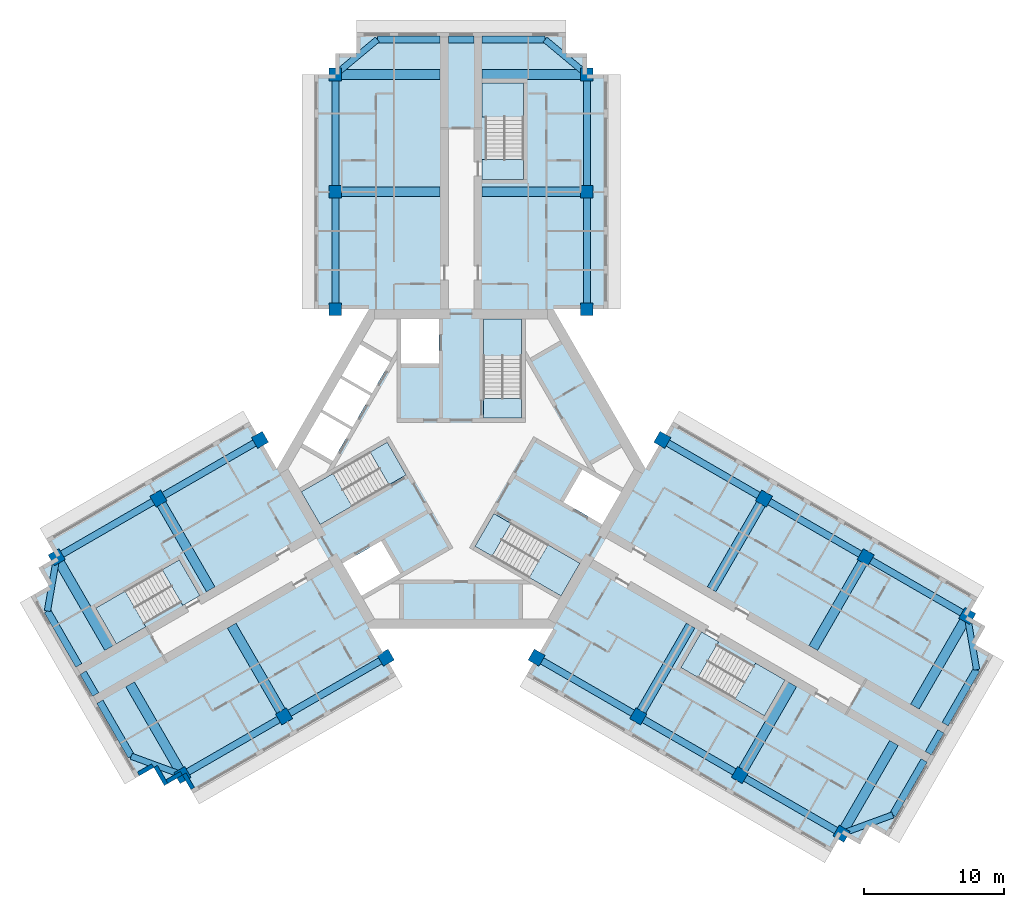
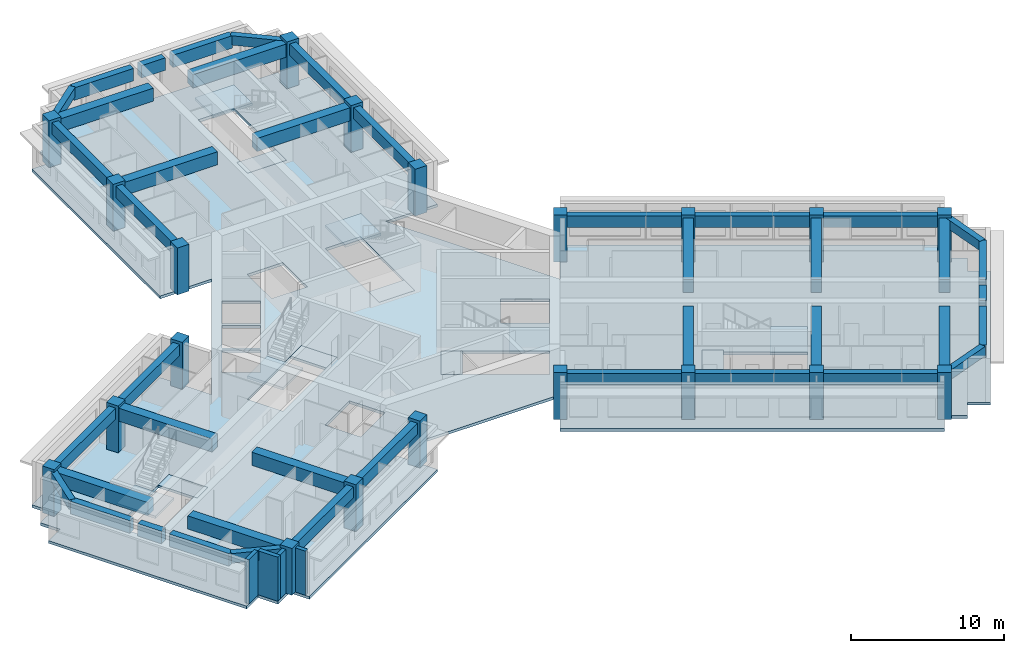
# One storey, part 1 of 10: 43 beams, 20 columns, 13 slabs, 4 walls, 6 elements without a shape of their own.
"""IFC4 building model written with IfcOpenShell, lengths in metres."""

from ifc_helpers import new_model, si_unit, direction, frame, frame_2d, origin, origin_2d, place, context, subcontext, project, spatial, polyline, rectangle, outline, extrude, material, layer, layer_set, material_profile, profile_set, type_object, element, aggregate, save


model = new_model("IFC4")

# Units and contexts
model_context = context("Model", 3, precision=1e-05, world=origin(), true_north=direction((0.0, 1.0)))
body_context = subcontext(model_context, "Body", "Model", "MODEL_VIEW")
ifc_project = project(units=[si_unit("LENGTHUNIT", "METRE"), si_unit("AREAUNIT", "SQUARE_METRE"), si_unit("VOLUMEUNIT", "CUBIC_METRE"), si_unit("PLANEANGLEUNIT", "RADIAN"), si_unit("MASSUNIT", "GRAM", prefix="KILO")], contexts=[model_context])

# Site, building, storey
site_placement = place(None, origin())
site = spatial("IfcSite", under=ifc_project, at=site_placement, CompositionType="ELEMENT")
building_placement = place(site_placement, origin())
building = spatial("IfcBuilding", under=site, at=building_placement, Name="Impinga Residences", CompositionType="ELEMENT")
storey_placement = place(building_placement, frame((0.0, 0.0, 241.0)))
storey = spatial("IfcBuildingStorey", under=building, at=storey_placement, Name="L60", CompositionType="ELEMENT", Elevation=241.0)

# Columns
ifc_material_1 = material(Name="Concrete C60/75", Category="concrete")
ifc_material_profile_1 = material_profile(ifc_material_1, rectangle(XDim=0.89990234375, YDim=0.89990234375, at=origin_2d()), Name="RC 900x900")
ifc_profile_set_1 = profile_set([ifc_material_profile_1], Name="Concrete C60/75")
column_type = type_object("IfcColumnType", Name="C4 900x900 column", PredefinedType="COLUMN", material=ifc_profile_set_1)
for number, where, z_axis, x_axis, name in (
    (1, (-9.0, 11.431640625, 0.0), (0.0, 0.0, 1.0), (1.0, 0.0, 0.0), "Column C4 N1/NA L60"),
    (2, (9.0, 11.431640625, 0.0), (0.0, 0.0, 1.0), (1.0, 0.0, 0.0), "Column C4 N1/NF L60"),
    (3, (-9.0, 19.83154296875, 0.0), (0.0, 0.0, 1.0), (1.0, 0.0, 0.0), "Column C4 N2/NA L60"),
    (4, (9.0, 19.83154296875, 0.0), (0.0, 0.0, 1.0), (1.0, 0.0, 0.0), "Column C4 N2/NF L60"),
    (5, (-9.0, 28.2314453125, 0.0), (0.0, 0.0, 1.0), (1.0, 0.0, 0.0), "Column C4 N3/NA L60"),
    (6, (9.0, 28.2314453125, 0.0), (0.0, 0.0, 1.0), (1.0, 0.0, 0.0), "Column C4 N3/NF L60"),
    (7, (-5.39990234375, -13.510009765625, 0.0), (0.0, 0.0, 1.0), (-0.5, 0.866025403784, 0.0), "Column C4 W1/WA L60"),
    (8, (-14.39990234375, 2.078369140625, 0.0), (0.0, 0.0, 1.0), (-0.5, 0.866025403784, 0.0), "Column C4 W1/WF L60"),
    (9, (-12.674560546875, -17.7099609375, 0.0), (0.0, 0.0, 1.0), (-0.5, 0.866025403784, 0.0), "Column C4 W2/WA L60"),
    (10, (-21.674560546875, -2.12158203125, 0.0), (0.0, 0.0, 1.0), (-0.5, 0.866025403784, 0.0), "Column C4 W2/WF L60"),
    (11, (-19.94921875, -21.909912109375, 0.0), (0.0, 0.0, 1.0), (-0.5, 0.866025403784, 0.0), "Column C4 W3/WA L60"),
    (12, (-28.94921875, -6.321533203125, 0.0), (0.0, 0.0, 1.0), (-0.5, 0.866025403784, 0.0), "Column C4 W3/WF L60"),
    (13, (14.39990234375, 2.078369140625, 0.0), (0.0, 0.0, 1.0), (-0.5, -0.866025403784, 0.0), "Column C4 E1/EA L60"),
    (14, (5.39990234375, -13.510009765625, 0.0), (0.0, 0.0, 1.0), (-0.5, -0.866025403784, 0.0), "Column C4 E1/EF L60"),
    (15, (21.674560546875, -2.12158203125, 0.0), (0.0, 0.0, 1.0), (-0.5, -0.866025403784, 0.0), "Column C4 E2/EA L60"),
    (16, (12.674560546875, -17.7099609375, 0.0), (0.0, 0.0, 1.0), (-0.5, -0.866025403784, 0.0), "Column C4 E2/EF L60"),
    (17, (28.94921875, -6.321533203125, 0.0), (0.0, 0.0, 1.0), (-0.5, -0.866025403784, 0.0), "Column C4 E3/EA L60"),
    (18, (19.94921875, -21.909912109375, 0.0), (0.0, 0.0, 1.0), (-0.5, -0.866025403784, 0.0), "Column C4 E3/EF L60"),
    (19, (36.223876953125, -10.521484375, 0.0), (0.0, 0.0, 1.0), (-0.5, -0.866025403784, 0.0), "Column C4 E4/EA L60"),
    (20, (27.223876953125, -26.110107421875, 0.0), (0.0, 0.0, 1.0), (-0.5, -0.866025403784, 0.0), "Column C4 E4/EF L60"),
):
    element("IfcColumn", number, at=place(storey_placement, frame(where, z_axis=z_axis, x_axis=x_axis)), inside=storey, type_object=column_type, Name=name, PredefinedType="COLUMN", context=body_context, shape_type="SweptSolid", body=[
        extrude(rectangle(XDim=0.89990234375, YDim=0.89990234375, at=origin_2d()), origin(), (0.0, 0.0, 1.0), 3.75),
    ])

# Beams
ifc_material_profile_2 = material_profile(ifc_material_1, rectangle(XDim=0.449951171875, YDim=0.75, at=origin_2d()), Name="RC 450x750")
ifc_profile_set_2 = profile_set([ifc_material_profile_2], Name="Concrete C60/75")
beam_type_1 = type_object("IfcBeamType", Name="CB1 450x750 wing end cantilever beam", PredefinedType="BEAM", material=ifc_profile_set_2)
for number, where, z_axis, x_axis, name in (
    (21, (-9.0, 28.2314453125, 3.155029296875), (0.768221279597, 0.640184399664, 0.0), (-0.640184399664, 0.768221279597, 0.0), "Beam CB1 NB N3-NX level L61"),
    (22, (9.0, 28.2314453125, 3.155029296875), (-0.768221279597, 0.640184399664, 0.0), (-0.640184399664, -0.768221279597, 0.0), "Beam CB1 NE N3-NX level L61"),
    (23, (-19.94921875, -21.909912109375, 3.155029296875), (-0.93854043338, 0.345169313396, 0.0), (-0.345169313396, -0.93854043338, 0.0), "Beam CB1 WB W3-WX level L61"),
):
    element("IfcBeam", number, at=place(storey_placement, frame(where, z_axis=z_axis, x_axis=x_axis)), inside=storey, type_object=beam_type_1, Name=name, PredefinedType="BEAM", context=body_context, shape_type="SweptSolid", body=[
        extrude(rectangle(XDim=0.449951171875, YDim=0.75, at=origin_2d()), origin(), (0.0, 0.0, 1.0), 3.905029296875),
    ])
for number, where, z_axis, x_axis, name in (
    (24, (-28.94921875, -6.321533203125, 3.155029296875), (-0.170296298948, -0.985392901621, 0.0), (0.985392901621, -0.170296298948, 0.0), "Beam CB1 WE W3-WX level L61"),
    (25, (36.223876953125, -10.521484375, 3.155029296875), (0.170296298948, -0.985392901621, 0.0), (0.985392901621, 0.170296298948, 0.0), "Beam CB1 EB E4-EX level L61"),
):
    element("IfcBeam", number, at=place(storey_placement, frame(where, z_axis=z_axis, x_axis=x_axis)), inside=storey, type_object=beam_type_1, Name=name, PredefinedType="BEAM", context=body_context, shape_type="SweptSolid", body=[
        extrude(rectangle(XDim=0.449951171875, YDim=0.75, at=origin_2d()), origin(), (0.0, 0.0, 1.0), 3.9052734375),
    ])
beam_1_placement = place(storey_placement, frame((27.223876953125, -26.110107421875, 3.155029296875), z_axis=(0.938520178725, 0.345224382289, 0.0), x_axis=(-0.345224382289, 0.938520178725, 0.0)))
element("IfcBeam", 26, at=beam_1_placement, inside=storey, type_object=beam_type_1, Name="Beam CB1 EE E4-EX level L61", PredefinedType="BEAM", context=body_context, shape_type="SweptSolid", body=[
    extrude(rectangle(XDim=0.449951171875, YDim=0.75, at=origin_2d()), origin(), (0.0, 0.0, 1.0), 3.905029296875),
])
ifc_material_profile_3 = material_profile(ifc_material_1, rectangle(XDim=0.699951171875, YDim=1.050048828125, at=origin_2d()), Name="RC 700x1050")
ifc_profile_set_3 = profile_set([ifc_material_profile_3], Name="Concrete C60/75")
beam_type_2 = type_object("IfcBeamType", Name="CG1 700x1050 cross girder on a wing bay line", PredefinedType="BEAM", material=ifc_profile_set_3)
for number, where, z_axis, x_axis, name in (
    (27, (-1.5, 19.83154296875, 3.0048828125), (-1.0, 0.0, 0.0), (0.0, -1.0, 0.0), "Beam CG1 N2 NC/NA level L61"),
    (28, (-1.5, 28.2314453125, 3.0048828125), (-1.0, 0.0, 0.0), (0.0, -1.0, 0.0), "Beam CG1 N3 NC/NA level L61"),
    (29, (1.5, 19.83154296875, 3.0048828125), (1.0, 0.0, 0.0), (0.0, 1.0, 0.0), "Beam CG1 N2 NC/NF level L61"),
    (30, (1.5, 28.2314453125, 3.0048828125), (1.0, 0.0, 0.0), (0.0, 1.0, 0.0), "Beam CG1 N3 NC/NF level L61"),
    (31, (-16.424560546875, -11.21484375, 3.0048828125), (0.500004234368, -0.866022959057, 0.0), (0.866022959057, 0.500004234368, 0.0), "Beam CG1 W2 WC/WA level L61"),
    (32, (-23.69921875, -15.414794921875, 3.0048828125), (0.500004234368, -0.866022959057, 0.0), (0.866022959057, 0.500004234368, 0.0), "Beam CG1 W3 WC/WA level L61"),
    (33, (-17.924560546875, -8.61669921875, 3.0048828125), (-0.500004234368, 0.866022959057, 0.0), (-0.866022959057, -0.500004234368, 0.0), "Beam CG1 W2 WC/WF level L61"),
    (34, (-25.19921875, -12.816650390625, 3.0048828125), (-0.500004234368, 0.866022959057, 0.0), (-0.866022959057, -0.500004234368, 0.0), "Beam CG1 W3 WC/WF level L61"),
    (35, (17.924560546875, -8.61669921875, 3.0048828125), (0.500004234368, 0.866022959057, 0.0), (-0.866022959057, 0.500004234368, 0.0), "Beam CG1 E2 EC/EA level L61"),
    (36, (25.19921875, -12.816650390625, 3.0048828125), (0.500004234368, 0.866022959057, 0.0), (-0.866022959057, 0.500004234368, 0.0), "Beam CG1 E3 EC/EA level L61"),
):
    element("IfcBeam", number, at=place(storey_placement, frame(where, z_axis=z_axis, x_axis=x_axis)), inside=storey, type_object=beam_type_2, Name=name, PredefinedType="BEAM", context=body_context, shape_type="SweptSolid", body=[
        extrude(rectangle(XDim=0.699951171875, YDim=1.050048828125, at=origin_2d()), origin(), (0.0, 0.0, 1.0), 7.5),
    ])
beam_2_placement = place(storey_placement, frame((32.473876953125, -17.016845703125, 3.0048828125), z_axis=(0.499990139034, 0.866031096941, 0.0), x_axis=(-0.866031096941, 0.499990139034, 0.0)))
element("IfcBeam", 37, at=beam_2_placement, inside=storey, type_object=beam_type_2, Name="Beam CG1 E4 EC/EA level L61", PredefinedType="BEAM", context=body_context, shape_type="SweptSolid", body=[
    extrude(rectangle(XDim=0.699951171875, YDim=1.050048828125, at=origin_2d()), origin(), (0.0, 0.0, 1.0), 7.500244140625),
])
for number, where, z_axis, x_axis, name in (
    (38, (16.424560546875, -11.21484375, 3.0048828125), (-0.500004234368, -0.866022959057, 0.0), (0.866022959057, -0.500004234368, 0.0), "Beam CG1 E2 EC/EF level L61"),
    (39, (23.69921875, -15.414794921875, 3.0048828125), (-0.500004234368, -0.866022959057, 0.0), (0.866022959057, -0.500004234368, 0.0), "Beam CG1 E3 EC/EF level L61"),
):
    element("IfcBeam", number, at=place(storey_placement, frame(where, z_axis=z_axis, x_axis=x_axis)), inside=storey, type_object=beam_type_2, Name=name, PredefinedType="BEAM", context=body_context, shape_type="SweptSolid", body=[
        extrude(rectangle(XDim=0.699951171875, YDim=1.050048828125, at=origin_2d()), origin(), (0.0, 0.0, 1.0), 7.5),
    ])
beam_3_placement = place(storey_placement, frame((30.973876953125, -19.61474609375, 3.0048828125), z_axis=(-0.499990139034, -0.866031096941, 0.0), x_axis=(0.866031096941, -0.499990139034, 0.0)))
element("IfcBeam", 40, at=beam_3_placement, inside=storey, type_object=beam_type_2, Name="Beam CG1 E4 EC/EF level L61", PredefinedType="BEAM", context=body_context, shape_type="SweptSolid", body=[
    extrude(rectangle(XDim=0.699951171875, YDim=1.050048828125, at=origin_2d()), origin(), (0.0, 0.0, 1.0), 7.500244140625),
])
ifc_material_profile_4 = material_profile(ifc_material_1, rectangle(XDim=0.5, YDim=1.0, at=origin_2d()), Name="RC 500x1000")
ifc_profile_set_4 = profile_set([ifc_material_profile_4], Name="Concrete C60/75")
beam_type_3 = type_object("IfcBeamType", Name="EB1 500x1000 wing end beam", PredefinedType="BEAM", material=ifc_profile_set_4)
beam_4_placement = place(storey_placement, frame((-6.0, 30.7314453125, 3.030029296875), z_axis=(1.0, 0.0, 0.0), x_axis=(0.0, 1.0, 0.0)))
element("IfcBeam", 41, at=beam_4_placement, inside=storey, type_object=beam_type_3, Name="Beam EB1 NX2 level L61", PredefinedType="BEAM", context=body_context, shape_type="SweptSolid", body=[
    extrude(rectangle(XDim=0.5, YDim=1.0, at=origin_2d()), origin(), (0.0, 0.0, 1.0), 4.5),
])
beam_5_placement = place(storey_placement, frame((-0.89990234375, 30.7314453125, 3.030029296875), z_axis=(1.0, 0.0, 0.0), x_axis=(0.0, 1.0, 0.0)))
element("IfcBeam", 42, at=beam_5_placement, inside=storey, type_object=beam_type_3, Name="Beam EB1 NX2 level L61", PredefinedType="BEAM", context=body_context, shape_type="SweptSolid", body=[
    extrude(rectangle(XDim=0.5, YDim=1.0, at=origin_2d()), origin(), (0.0, 0.0, 1.0), 1.7998046875),
])
for number, where, z_axis, x_axis, name in (
    (43, (1.5, 30.7314453125, 3.030029296875), (1.0, 0.0, 0.0), (0.0, 1.0, 0.0), "Beam EB1 NX2 level L61"),
    (44, (-23.6142578125, -20.56201171875, 3.030029296875), (-0.499990139034, 0.866031096941, 0.0), (-0.866031096941, -0.499990139034, 0.0), "Beam EB1 WX2 level L61"),
):
    element("IfcBeam", number, at=place(storey_placement, frame(where, z_axis=z_axis, x_axis=x_axis)), inside=storey, type_object=beam_type_3, Name=name, PredefinedType="BEAM", context=body_context, shape_type="SweptSolid", body=[
        extrude(rectangle(XDim=0.5, YDim=1.0, at=origin_2d()), origin(), (0.0, 0.0, 1.0), 4.5),
    ])
beam_6_placement = place(storey_placement, frame((-26.164306640625, -16.145263671875, 3.030029296875), z_axis=(-0.499961193289, 0.866047807691, 0.0), x_axis=(-0.866047807691, -0.499961193289, 0.0)))
element("IfcBeam", 45, at=beam_6_placement, inside=storey, type_object=beam_type_3, Name="Beam EB1 WX2 level L61", PredefinedType="BEAM", context=body_context, shape_type="SweptSolid", body=[
    extrude(rectangle(XDim=0.5, YDim=1.0, at=origin_2d()), origin(), (0.0, 0.0, 1.0), 1.800048828125),
])
beam_7_placement = place(storey_placement, frame((-27.3642578125, -14.066650390625, 3.030029296875), z_axis=(-0.500013631625, 0.866017533419, 0.0), x_axis=(-0.866017533419, -0.500013631625, 0.0)))
element("IfcBeam", 46, at=beam_7_placement, inside=storey, type_object=beam_type_3, Name="Beam EB1 WX2 level L61", PredefinedType="BEAM", context=body_context, shape_type="SweptSolid", body=[
    extrude(rectangle(XDim=0.5, YDim=1.0, at=origin_2d()), origin(), (0.0, 0.0, 1.0), 4.499755859375),
])
beam_8_placement = place(storey_placement, frame((36.888916015625, -14.36962890625, 3.030029296875), z_axis=(-0.499990139034, -0.866031096941, 0.0), x_axis=(0.866031096941, -0.499990139034, 0.0)))
element("IfcBeam", 47, at=beam_8_placement, inside=storey, type_object=beam_type_3, Name="Beam EB1 EX3 level L61", PredefinedType="BEAM", context=body_context, shape_type="SweptSolid", body=[
    extrude(rectangle(XDim=0.5, YDim=1.0, at=origin_2d()), origin(), (0.0, 0.0, 1.0), 4.5),
])
beam_9_placement = place(storey_placement, frame((34.3388671875, -18.786376953125, 3.030029296875), z_axis=(-0.499961193289, -0.866047807691, 0.0), x_axis=(0.866047807691, -0.499961193289, 0.0)))
element("IfcBeam", 48, at=beam_9_placement, inside=storey, type_object=beam_type_3, Name="Beam EB1 EX3 level L61", PredefinedType="BEAM", context=body_context, shape_type="SweptSolid", body=[
    extrude(rectangle(XDim=0.5, YDim=1.0, at=origin_2d()), origin(), (0.0, 0.0, 1.0), 1.800048828125),
])
beam_10_placement = place(storey_placement, frame((33.138916015625, -20.86474609375, 3.030029296875), z_axis=(-0.499990139034, -0.866031096941, 0.0), x_axis=(0.866031096941, -0.499990139034, 0.0)))
element("IfcBeam", 49, at=beam_10_placement, inside=storey, type_object=beam_type_3, Name="Beam EB1 EX3 level L61", PredefinedType="BEAM", context=body_context, shape_type="SweptSolid", body=[
    extrude(rectangle(XDim=0.5, YDim=1.0, at=origin_2d()), origin(), (0.0, 0.0, 1.0), 4.5),
])
ifc_material_profile_5 = material_profile(ifc_material_1, rectangle(XDim=0.5, YDim=0.89990234375, at=origin_2d()), Name="RC 500x900")
ifc_profile_set_5 = profile_set([ifc_material_profile_5], Name="Concrete C60/75")
beam_type_4 = type_object("IfcBeamType", Name="SB1 500x900 perimeter spandrel beam", PredefinedType="SPANDREL", material=ifc_profile_set_5)
for number, where, z_axis, x_axis, name in (
    (50, (-9.0, 11.431640625, 3.080078125), (0.0, 1.0, 0.0), (-1.0, 0.0, 0.0), "Beam SB1 NA N1-N2 level L61"),
    (51, (-9.0, 19.83154296875, 3.080078125), (0.0, 1.0, 0.0), (-1.0, 0.0, 0.0), "Beam SB1 NA N2-N3 level L61"),
    (52, (9.0, 11.431640625, 3.080078125), (0.0, 1.0, 0.0), (-1.0, 0.0, 0.0), "Beam SB1 NF N1-N2 level L61"),
    (53, (9.0, 19.83154296875, 3.080078125), (0.0, 1.0, 0.0), (-1.0, 0.0, 0.0), "Beam SB1 NF N2-N3 level L61"),
    (54, (-5.39990234375, -13.510009765625, 3.080078125), (-0.86602925447, -0.499993330357, 0.0), (0.499993330357, -0.86602925447, 0.0), "Beam SB1 WA W1-W2 level L61"),
    (55, (-12.674560546875, -17.7099609375, 3.080078125), (-0.86602925447, -0.499993330357, 0.0), (0.499993330357, -0.86602925447, 0.0), "Beam SB1 WA W2-W3 level L61"),
    (56, (-14.39990234375, 2.078369140625, 3.080078125), (-0.86602925447, -0.499993330357, 0.0), (0.499993330357, -0.86602925447, 0.0), "Beam SB1 WF W1-W2 level L61"),
    (57, (-21.674560546875, -2.12158203125, 3.080078125), (-0.86602925447, -0.499993330357, 0.0), (0.499993330357, -0.86602925447, 0.0), "Beam SB1 WF W2-W3 level L61"),
    (58, (14.39990234375, 2.078369140625, 3.080078125), (0.86602925447, -0.499993330357, 0.0), (0.499993330357, 0.86602925447, 0.0), "Beam SB1 EA E1-E2 level L61"),
    (59, (21.674560546875, -2.12158203125, 3.080078125), (0.86602925447, -0.499993330357, 0.0), (0.499993330357, 0.86602925447, 0.0), "Beam SB1 EA E2-E3 level L61"),
    (60, (28.94921875, -6.321533203125, 3.080078125), (0.86602925447, -0.499993330357, 0.0), (0.499993330357, 0.86602925447, 0.0), "Beam SB1 EA E3-E4 level L61"),
    (61, (5.39990234375, -13.510009765625, 3.080078125), (0.86602925447, -0.499993330357, 0.0), (0.499993330357, 0.86602925447, 0.0), "Beam SB1 EF E1-E2 level L61"),
    (62, (12.674560546875, -17.7099609375, 3.080078125), (0.86602925447, -0.499993330357, 0.0), (0.499993330357, 0.86602925447, 0.0), "Beam SB1 EF E2-E3 level L61"),
):
    element("IfcBeam", number, at=place(storey_placement, frame(where, z_axis=z_axis, x_axis=x_axis)), inside=storey, type_object=beam_type_4, Name=name, PredefinedType="SPANDREL", context=body_context, shape_type="SweptSolid", body=[
        extrude(rectangle(XDim=0.5, YDim=0.89990234375, at=origin_2d()), origin(), (0.0, 0.0, 1.0), 8.39990234375),
    ])
beam_11_placement = place(storey_placement, frame((19.94921875, -21.909912109375, 3.080078125), z_axis=(0.866016669275, -0.500015128309, 0.0), x_axis=(0.500015128309, 0.866016669275, 0.0)))
element("IfcBeam", 63, at=beam_11_placement, inside=storey, type_object=beam_type_4, Name="Beam SB1 EF E3-E4 level L61", PredefinedType="SPANDREL", context=body_context, shape_type="SweptSolid", body=[
    extrude(rectangle(XDim=0.5, YDim=0.89990234375, at=origin_2d()), origin(), (0.0, 0.0, 1.0), 8.400146484375),
])

# Slab
ifc_layer_1 = layer(ifc_material_1, 0.219970703125)
ifc_layer_set_1 = layer_set([ifc_layer_1], Name="Concrete C60/75")
slab_type_1 = type_object("IfcSlabType", Name="FS1 tower floor slab 220", PredefinedType="FLOOR", material=ifc_layer_set_1)
slab_1_placement = place(storey_placement, frame((0.0, 0.0, -0.219970703125)))
element("IfcSlab", 64, at=slab_1_placement, inside=storey, type_object=slab_type_1, Name="Floor slab FS1 L60", PredefinedType="FLOOR", context=body_context, shape_type="SweptSolid", body=[
    extrude(outline(polyline([(36.223876953125, -10.521484375), (37.52294921875, -11.271484375), (36.77294921875, -12.570556640625), (38.072021484375, -13.320556640625), (30.572021484375, -26.31103515625), (29.27294921875, -25.56103515625), (28.52294921875, -26.860107421875), (27.223876953125, -26.110107421875), (26.473876953125, -27.408935546875), (4.64990234375, -14.80908203125), (9.900146484375, -5.7158203125), (6.60009765625, -11.431640625), (-6.60009765625, -11.431640625), (-9.900146484375, -5.7158203125), (-4.64990234375, -14.80908203125), (-19.19921875, -23.208984375), (-19.94921875, -21.909912109375), (-21.248291015625, -22.659912109375), (-21.998291015625, -21.36083984375), (-23.29736328125, -22.11083984375), (-30.79736328125, -9.12060546875), (-29.498291015625, -8.37060546875), (-30.248291015625, -7.071533203125), (-28.94921875, -6.321533203125), (-29.69921875, -5.0224609375), (-15.14990234375, 3.37744140625), (-13.199951171875, 0.0), (-6.60009765625, 11.431640625), (-10.5, 11.431640625), (-10.5, 28.2314453125), (-9.0, 28.2314453125), (-9.0, 29.7314453125), (-7.5, 29.7314453125), (-7.5, 31.2314453125), (7.5, 31.2314453125), (7.5, 29.7314453125), (9.0, 29.7314453125), (9.0, 28.2314453125), (10.5, 28.2314453125), (10.5, 11.431640625), (6.60009765625, 11.431640625), (13.199951171875, 0.0), (15.14990234375, 3.37744140625), (36.973876953125, -9.222412109375), (36.223876953125, -10.521484375)]), holes=[polyline([(-18.7041015625, -9.066650390625), (-18.8291015625, -8.850341796875), (-18.8291015625, -8.850341796875), (-20.178955078125, -6.511962890625), (-21.391357421875, -7.2119140625), (-21.391357421875, -7.2119140625), (-26.154541015625, -9.9619140625), (-24.8046875, -12.30029296875), (-20.04150390625, -9.55029296875), (-19.91650390625, -9.766845703125), (-18.7041015625, -9.066650390625)]), polyline([(-5.72119140625, -5.150634765625), (-8.493896484375, -6.75146484375), (-7.143798828125, -9.089599609375), (-4.37109375, -7.489013671875), (-5.72119140625, -5.150634765625)]), polyline([(-5.293701171875, 1.908935546875), (-11.44384765625, -1.641845703125), (-10.09375, -3.980224609375), (-3.943603515625, -0.429443359375), (-5.293701171875, 1.908935546875)]), polyline([(-7.878662109375, 2.816650390625), (-10.043701171875, 4.066650390625), (-11.34375, 1.81494140625), (-9.1787109375, 0.56494140625), (-7.878662109375, 2.816650390625)]), polyline([(-6.478759765625, 5.24169921875), (-8.643798828125, 6.49169921875), (-9.94384765625, 4.239990234375), (-7.77880859375, 2.989990234375), (-6.478759765625, 5.24169921875)]), polyline([(-6.378662109375, 5.414794921875), (-5.07861328125, 7.66650390625), (-7.243896484375, 8.91650390625), (-8.543701171875, 6.664794921875), (-6.378662109375, 5.414794921875)]), polyline([(-4.300048828125, 7.530029296875), (-1.60009765625, 7.530029296875), (-1.60009765625, 10.7314453125), (-4.300048828125, 10.7314453125), (-4.300048828125, 7.530029296875)]), polyline([(15.72900390625, -14.219482421875), (21.70458984375, -17.669677734375), (23.0546875, -15.331298828125), (18.29150390625, -12.581298828125), (18.41650390625, -12.36474609375), (17.2041015625, -11.664794921875), (15.72900390625, -14.219482421875)]), polyline([(0.99365234375, -5.538818359375), (7.143798828125, -9.089599609375), (8.493896484375, -6.75146484375), (2.34375, -3.20068359375), (0.99365234375, -5.538818359375)]), polyline([(7.3212890625, -2.37939453125), (10.09375, -3.980224609375), (11.44384765625, -1.641845703125), (8.671142578125, -0.041015625), (7.3212890625, -2.37939453125)]), polyline([(4.300048828125, 3.6298828125), (4.300048828125, 10.7314453125), (1.60009765625, 10.7314453125), (1.60009765625, 3.6298828125), (4.300048828125, 3.6298828125)]), polyline([(1.75, 22.131591796875), (1.5, 22.131591796875), (1.5, 20.7314453125), (1.75, 20.7314453125), (4.449951171875, 20.7314453125), (4.449951171875, 22.131591796875), (4.449951171875, 27.631591796875), (1.75, 27.631591796875), (1.75, 22.131591796875)])]), origin(), (0.0, 0.0, 1.0), 0.219970703125),
])

# Stair, slabs
ifc_material_2 = material(Name="Concrete C40/50", Category="concrete")
stair_type_1 = type_object("IfcStairType", Name="STR core stair 3750 storey, 24 risers", PredefinedType="HALF_TURN_STAIR", material=ifc_material_2)
stair_1_placement = place(storey_placement, origin())
stair_1 = element("IfcStair", 65, at=stair_1_placement, inside=storey, type_object=stair_type_1, Name="Stair ST1 L60", PredefinedType="HALF_TURN_STAIR")
ifc_layer_2 = layer(ifc_material_2, 0.199951171875)
ifc_layer_set_2 = layer_set([ifc_layer_2], Name="Concrete C40/50")
slab_type_2 = type_object("IfcSlabType", Name="LS1 stair landing 200", PredefinedType="LANDING", material=ifc_layer_set_2)
slab_2_placement = place(storey_placement, frame((0.0, 0.0, -0.199951171875)))
slab_2 = element("IfcSlab", 66, at=slab_2_placement, type_object=slab_type_2, Name="ST1 landing 1", PredefinedType="LANDING", context=body_context, shape_type="SweptSolid", body=[
    extrude(outline(polyline([(1.60009765625, 3.6298828125), (4.300048828125, 3.6298828125), (4.300048828125, 5.0400390625), (1.60009765625, 5.0400390625), (1.60009765625, 3.6298828125)])), origin(), (0.0, 0.0, 1.0), 0.199951171875),
])
slab_3_placement = place(storey_placement, frame((0.0, 0.0, 1.675048828125)))
slab_3 = element("IfcSlab", 67, at=slab_3_placement, type_object=slab_type_2, Name="ST1 landing 2", PredefinedType="LANDING", context=body_context, shape_type="SweptSolid", body=[
    extrude(outline(polyline([(1.60009765625, 8.10009765625), (4.300048828125, 8.10009765625), (4.300048828125, 10.7314453125), (1.60009765625, 10.7314453125), (1.60009765625, 8.10009765625)])), origin(), (0.0, 0.0, 1.0), 0.199951171875),
])
aggregate(stair_1, [slab_2, slab_3])

stair_2_placement = place(storey_placement, origin())
stair_2 = element("IfcStair", 68, at=stair_2_placement, inside=storey, type_object=stair_type_1, Name="Stair ST2 L60", PredefinedType="HALF_TURN_STAIR")
slab_4_placement = place(storey_placement, frame((0.0, 0.0, -0.199951171875)))
slab_4 = element("IfcSlab", 69, at=slab_4_placement, type_object=slab_type_2, Name="ST2 landing 1", PredefinedType="LANDING", context=body_context, shape_type="SweptSolid", body=[
    extrude(outline(polyline([(-3.943603515625, -0.429443359375), (-5.293701171875, 1.908935546875), (-6.5146484375, 1.203857421875), (-5.164794921875, -1.13427734375), (-3.943603515625, -0.429443359375)])), origin(), (0.0, 0.0, 1.0), 0.199951171875),
])
slab_5_placement = place(storey_placement, frame((0.0, 0.0, 1.675048828125)))
slab_5 = element("IfcSlab", 70, at=slab_5_placement, type_object=slab_type_2, Name="ST2 landing 2", PredefinedType="LANDING", context=body_context, shape_type="SweptSolid", body=[
    extrude(outline(polyline([(-7.814697265625, -2.664306640625), (-9.164794921875, -0.326171875), (-11.44384765625, -1.641845703125), (-10.09375, -3.980224609375), (-7.814697265625, -2.664306640625)])), origin(), (0.0, 0.0, 1.0), 0.199951171875),
])
aggregate(stair_2, [slab_4, slab_5])

stair_3_placement = place(storey_placement, origin())
stair_3 = element("IfcStair", 71, at=stair_3_placement, inside=storey, type_object=stair_type_1, Name="Stair ST3 L60", PredefinedType="HALF_TURN_STAIR")
slab_6_placement = place(storey_placement, frame((0.0, 0.0, -0.199951171875)))
slab_6 = element("IfcSlab", 72, at=slab_6_placement, type_object=slab_type_2, Name="ST3 landing 1", PredefinedType="LANDING", context=body_context, shape_type="SweptSolid", body=[
    extrude(outline(polyline([(2.34375, -3.20068359375), (0.99365234375, -5.538818359375), (2.21484375, -6.243896484375), (3.564697265625, -3.90576171875), (2.34375, -3.20068359375)])), origin(), (0.0, 0.0, 1.0), 0.199951171875),
])
slab_7_placement = place(storey_placement, frame((0.0, 0.0, 1.675048828125)))
slab_7 = element("IfcSlab", 73, at=slab_7_placement, type_object=slab_type_2, Name="ST3 landing 2", PredefinedType="LANDING", context=body_context, shape_type="SweptSolid", body=[
    extrude(outline(polyline([(6.21484375, -5.435546875), (4.86474609375, -7.77392578125), (7.143798828125, -9.089599609375), (8.493896484375, -6.75146484375), (6.21484375, -5.435546875)])), origin(), (0.0, 0.0, 1.0), 0.199951171875),
])
aggregate(stair_3, [slab_6, slab_7])

stair_type_2 = type_object("IfcStairType", Name="STR wing stair 3750 storey, 24 risers", PredefinedType="HALF_TURN_STAIR", material=ifc_material_2)
stair_4_placement = place(storey_placement, origin())
stair_4 = element("IfcStair", 74, at=stair_4_placement, inside=storey, type_object=stair_type_2, Name="Stair WS1 L60", PredefinedType="HALF_TURN_STAIR")
slab_8_placement = place(storey_placement, frame((0.0, 0.0, -0.199951171875)))
slab_8 = element("IfcSlab", 75, at=slab_8_placement, type_object=slab_type_2, Name="WS1 landing 1", PredefinedType="LANDING", context=body_context, shape_type="SweptSolid", body=[
    extrude(outline(polyline([(1.5, 20.7314453125), (4.449951171875, 20.7314453125), (4.449951171875, 22.1416015625), (1.5, 22.1416015625), (1.5, 20.7314453125)])), origin(), (0.0, 0.0, 1.0), 0.199951171875),
])
slab_9_placement = place(storey_placement, frame((0.0, 0.0, 1.675048828125)))
slab_9 = element("IfcSlab", 76, at=slab_9_placement, type_object=slab_type_2, Name="WS1 landing 2", PredefinedType="LANDING", context=body_context, shape_type="SweptSolid", body=[
    extrude(outline(polyline([(1.5, 25.201416015625), (4.449951171875, 25.201416015625), (4.449951171875, 27.631591796875), (1.5, 27.631591796875), (1.5, 25.201416015625)])), origin(), (0.0, 0.0, 1.0), 0.199951171875),
])
aggregate(stair_4, [slab_8, slab_9])

stair_5_placement = place(storey_placement, origin())
stair_5 = element("IfcStair", 77, at=stair_5_placement, inside=storey, type_object=stair_type_2, Name="Stair WS2 L60", PredefinedType="HALF_TURN_STAIR")
slab_10_placement = place(storey_placement, frame((0.0, 0.0, -0.199951171875)))
slab_10 = element("IfcSlab", 78, at=slab_10_placement, type_object=slab_type_2, Name="WS2 landing 1", PredefinedType="LANDING", context=body_context, shape_type="SweptSolid", body=[
    extrude(outline(polyline([(-18.7041015625, -9.066650390625), (-20.178955078125, -6.511962890625), (-21.400146484375, -7.217041015625), (-19.925048828125, -9.771728515625), (-18.7041015625, -9.066650390625)])), origin(), (0.0, 0.0, 1.0), 0.199951171875),
])
slab_11_placement = place(storey_placement, frame((0.0, 0.0, 1.675048828125)))
slab_11 = element("IfcSlab", 79, at=slab_11_placement, type_object=slab_type_2, Name="WS2 landing 2", PredefinedType="LANDING", context=body_context, shape_type="SweptSolid", body=[
    extrude(outline(polyline([(-22.5751953125, -11.3017578125), (-24.050048828125, -8.7470703125), (-26.154541015625, -9.9619140625), (-24.6796875, -12.516845703125), (-22.5751953125, -11.3017578125)])), origin(), (0.0, 0.0, 1.0), 0.199951171875),
])
aggregate(stair_5, [slab_10, slab_11])

stair_6_placement = place(storey_placement, origin())
stair_6 = element("IfcStair", 80, at=stair_6_placement, inside=storey, type_object=stair_type_2, Name="Stair WS3 L60", PredefinedType="HALF_TURN_STAIR")
slab_12_placement = place(storey_placement, frame((0.0, 0.0, -0.199951171875)))
slab_12 = element("IfcSlab", 81, at=slab_12_placement, type_object=slab_type_2, Name="WS3 landing 1", PredefinedType="LANDING", context=body_context, shape_type="SweptSolid", body=[
    extrude(outline(polyline([(17.2041015625, -11.664794921875), (15.72900390625, -14.219482421875), (16.9501953125, -14.924560546875), (18.425048828125, -12.369873046875), (17.2041015625, -11.664794921875)])), origin(), (0.0, 0.0, 1.0), 0.199951171875),
])
slab_13_placement = place(storey_placement, frame((0.0, 0.0, 1.675048828125)))
slab_13 = element("IfcSlab", 82, at=slab_13_placement, type_object=slab_type_2, Name="WS3 landing 2", PredefinedType="LANDING", context=body_context, shape_type="SweptSolid", body=[
    extrude(outline(polyline([(21.0751953125, -13.89990234375), (19.60009765625, -16.45458984375), (21.70458984375, -17.669677734375), (23.1796875, -15.11474609375), (21.0751953125, -13.89990234375)])), origin(), (0.0, 0.0, 1.0), 0.199951171875),
])
aggregate(stair_6, [slab_12, slab_13])

# Walls
ifc_material_3 = material(Name="Terracotta rainscreen on blockwork", Category="masonry")
ifc_layer_3 = layer(ifc_material_3, 0.300048828125)
ifc_layer_set_3 = layer_set([ifc_layer_3], Name="EW1 external wall, terracotta rainscreen on blockwork 300")
wall_type = type_object("IfcWallType", Name="EW1 external wall, terracotta rainscreen on blockwork 300", PredefinedType="SOLIDWALL", material=ifc_layer_set_3)
wall_1_placement = place(storey_placement, frame((-19.21923828125, -22.874267578125, 0.0), z_axis=(0.0, 0.0, 1.0), x_axis=(-0.500033551112, 0.866006032174, 0.0)))
element("IfcWall", 83, at=wall_1_placement, inside=storey, type_object=wall_type, Name="External wall EW1 L60", PredefinedType="SOLIDWALL", context=body_context, shape_type="SweptSolid", body=[
    extrude(rectangle(XDim=1.2001953125, YDim=0.300048828125, at=frame_2d((0.60009765625, 0.0))), origin(), (0.0, 0.0, 1.0), 3.530029296875),
])
wall_2_placement = place(storey_placement, frame((-20.028564453125, -21.782470703125, 0.0), z_axis=(0.0, 0.0, 1.0), x_axis=(-0.865971243484, -0.500093796661, 0.0)))
element("IfcWall", 84, at=wall_2_placement, inside=storey, type_object=wall_type, Name="External wall EW1 L60", PredefinedType="SOLIDWALL", context=body_context, shape_type="SweptSolid", body=[
    extrude(rectangle(XDim=1.195068359375, YDim=0.300048828125, at=frame_2d((0.59765625, 0.0))), origin(), (0.0, 0.0, 1.0), 3.530029296875),
])
wall_3_placement = place(storey_placement, frame((-21.118408203125, -22.5849609375, 0.0), z_axis=(0.0, 0.0, 1.0), x_axis=(-0.499990139034, 0.866031096941, 0.0)))
element("IfcWall", 85, at=wall_3_placement, inside=storey, type_object=wall_type, Name="External wall EW1 L60", PredefinedType="SOLIDWALL", context=body_context, shape_type="SweptSolid", body=[
    extrude(rectangle(XDim=1.5, YDim=0.300048828125, at=frame_2d((0.75, 0.0))), origin(), (0.0, 0.0, 1.0), 3.530029296875),
])
wall_4_placement = place(storey_placement, frame((-22.07763671875, -21.233642578125, 0.0), z_axis=(0.0, 0.0, 1.0), x_axis=(-0.866059708757, -0.499940577336, 0.0)))
element("IfcWall", 86, at=wall_4_placement, inside=storey, type_object=wall_type, Name="External wall EW1 L60", PredefinedType="SOLIDWALL", context=body_context, shape_type="SweptSolid", body=[
    extrude(rectangle(XDim=1.195068359375, YDim=0.300048828125, at=frame_2d((0.59765625, 0.0))), origin(), (0.0, 0.0, 1.0), 3.530029296875),
])

save(model, "model.ifc")
